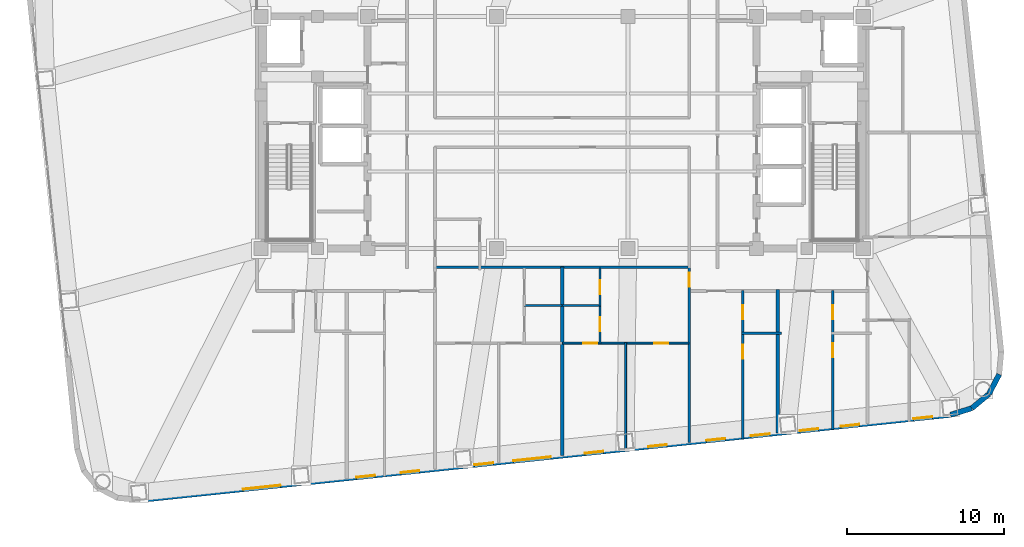
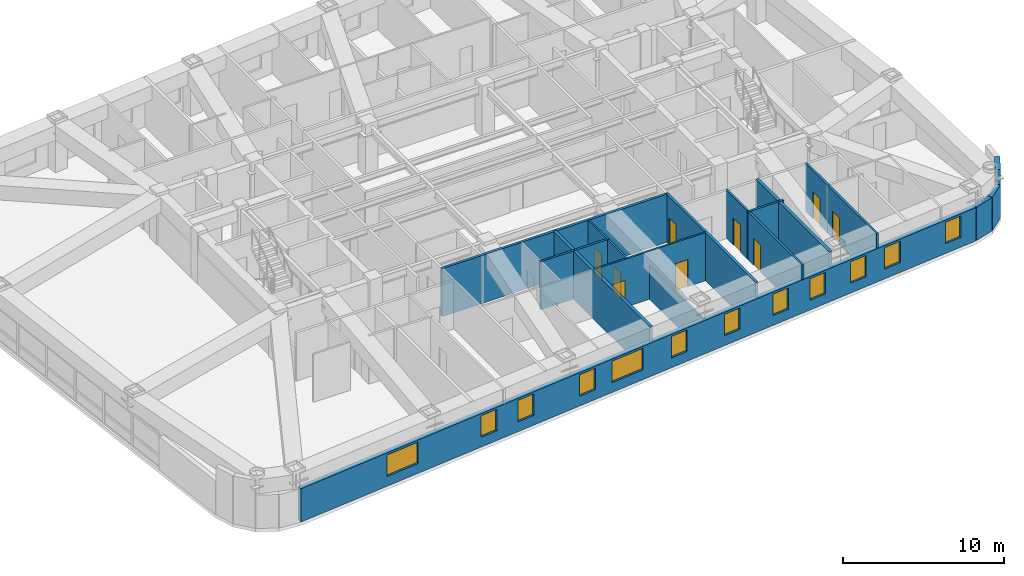
# One storey, part 8 of 14: 19 walls, 12 windows, 9 doors, 21 openings.
"""IFC4 building model written with IfcOpenShell, lengths in metres."""

from ifc_helpers import new_model, si_unit, direction, frame, frame_2d, origin, place, context, subcontext, project, spatial, rectangle, extrude, material, layer, layer_set, type_object, element, fill, save


model = new_model("IFC4")

# Units and contexts
model_context = context("Model", 3, precision=1e-05, world=origin(), true_north=direction((0.0, 1.0)))
body_context = subcontext(model_context, "Body", "Model", "MODEL_VIEW")
ifc_project = project(units=[si_unit("LENGTHUNIT", "METRE"), si_unit("AREAUNIT", "SQUARE_METRE"), si_unit("VOLUMEUNIT", "CUBIC_METRE"), si_unit("PLANEANGLEUNIT", "RADIAN"), si_unit("MASSUNIT", "GRAM", prefix="KILO")], contexts=[model_context])

# Site, building, storey
site_placement = place(None, origin())
site = spatial("IfcSite", under=ifc_project, at=site_placement, CompositionType="ELEMENT")
building_placement = place(site_placement, origin())
building = spatial("IfcBuilding", under=site, at=building_placement, Name="Voryun Gate Residences", CompositionType="ELEMENT")
storey_placement = place(building_placement, frame((0.0, 0.0, 144.300048828125)))
storey = spatial("IfcBuildingStorey", under=building, at=storey_placement, Name="L35", CompositionType="ELEMENT", Elevation=144.300048828125)

# Wall
ifc_material_1 = material(Name="Gypsum acoustic fireboard")
ifc_layer_1 = layer(ifc_material_1, 0.179931640625, Name="W_CORR_RATED_180")
ifc_layer_set_1 = layer_set([ifc_layer_1], Name="Gypsum acoustic fireboard")
wall_type_1 = type_object("IfcWallType", Name="W_CORR_RATED_180", PredefinedType="PARTITIONING", material=ifc_layer_set_1)
wall_1_placement = place(storey_placement, frame((-8.14990234375, -8.590087890625, 0.0), z_axis=(0.0, 0.0, 1.0), x_axis=(1.0, 0.0, 0.0)))
element("IfcWall", 1, at=wall_1_placement, inside=storey, type_object=wall_type_1, Name="Partition wall WP-L35-Z2S", PredefinedType="PARTITIONING", context=body_context, shape_type="SweptSolid", body=[
    extrude(rectangle(XDim=16.2998046875, YDim=0.179931640625, at=frame_2d((8.14990234375, 0.0))), origin(), (0.0, 0.0, 1.0), 3.64990234375),
])

# Wall, opening, door
wall_2_placement = place(storey_placement, frame((8.10009765625, -19.75390625, 0.0), z_axis=(0.0, 0.0, 1.0), x_axis=(0.0, 1.0, 0.0)))
wall_2 = element("IfcWall", 2, at=wall_2_placement, inside=storey, type_object=wall_type_1, Name="Partition wall WP-L35-SZV-2", PredefinedType="PARTITIONING", context=body_context, shape_type="SweptSolid", body=[
    extrude(rectangle(XDim=11.163818359375, YDim=0.179931640625, at=frame_2d((5.58203125, 0.0))), origin(), (0.0, 0.0, 1.0), 3.64990234375),
])
opening_1_placement = place(wall_2_placement, frame((9.913330078125, 0.0, 0.0)))
opening_1 = element("IfcOpeningElement", 3, at=opening_1_placement, cuts=wall_2, Name="Opening D-INT-2", PredefinedType="OPENING", context=body_context, shape_type="SweptSolid", body=[
    extrude(rectangle(XDim=0.89990234375, YDim=2.050048828125, at=frame_2d((0.449951171875, 1.02490234375))), frame((0.0, 0.099853515625, 0.0), z_axis=(0.0, -1.0, 0.0), x_axis=(1.0, 0.0, 0.0)), (0.0, 0.0, 1.0), 0.199951171875),
])
ifc_material_2 = material(Name="Architectural oak veneer")
door_type = type_object("IfcDoorType", Name="DR_INT_BATH_900", OperationType="NOTDEFINED", PredefinedType="DOOR", material=ifc_material_2)
door_1_placement = place(opening_1_placement, origin())
door_1 = element("IfcDoor", 4, at=door_1_placement, inside=storey, type_object=door_type, Name="Door DR-L35-SZENT-2", OperationType="SINGLE_SWING_RIGHT", OverallHeight=2.050048828125, OverallWidth=0.89990234375, PredefinedType="DOOR", context=body_context, shape_type="SweptSolid", body=[
    extrude(rectangle(XDim=0.89990234375, YDim=2.050048828125, at=frame_2d((0.449951171875, 1.02490234375))), frame((0.0, 0.02490234375, 0.0), z_axis=(0.0, -1.0, 0.0), x_axis=(1.0, 0.0, 0.0)), (0.0, 0.0, 1.0), 0.050048828125),
])
fill(opening_1, door_1)

# Wall, openings, windows
ifc_material_3 = material(Name="Charcoal terracotta masonry", Category="masonry")
ifc_layer_2 = layer(ifc_material_3, 0.340087890625, Name="W_EXT_TERRACOTTA_340")
ifc_layer_set_2 = layer_set([ifc_layer_2], Name="Charcoal terracotta masonry")
wall_type_2 = type_object("IfcWallType", Name="W_EXT_TERRACOTTA_340", PredefinedType="ELEMENTEDWALL", material=ifc_layer_set_2)
wall_3_placement = place(storey_placement, frame((24.755615234375, -18.003173828125, 0.0), z_axis=(0.0, 0.0, 1.0), x_axis=(-0.99452160744, -0.104531202687, 0.0)))
wall_3 = element("IfcWall", 5, at=wall_3_placement, inside=storey, type_object=wall_type_2, Name="Exterior wall WEXT-L35-01", PredefinedType="ELEMENTEDWALL", context=body_context, shape_type="SweptSolid", body=[
    extrude(rectangle(XDim=51.966552734375, YDim=0.340087890625, at=frame_2d((25.9833984375, 0.0))), origin(), (0.0, 0.0, 1.0), 2.5400390625),
])
opening_2_placement = place(wall_3_placement, frame((25.63330078125, 0.0, 0.75)))
opening_2 = element("IfcOpeningElement", 6, at=opening_2_placement, cuts=wall_3, Name="Opening WN2", PredefinedType="OPENING", context=body_context, shape_type="SweptSolid", body=[
    extrude(rectangle(XDim=2.39990234375, YDim=1.6298828125, at=frame_2d((1.199951171875, 0.81494140625))), frame((0.0, 0.179931640625, 0.0), z_axis=(0.0, -1.0, 0.0), x_axis=(1.0, 0.0, 0.0)), (0.0, 0.0, 1.0), 0.360107421875),
])
opening_3_placement = place(wall_3_placement, frame((42.955322265625, 0.0, 0.75)))
opening_3 = element("IfcOpeningElement", 7, at=opening_3_placement, cuts=wall_3, Name="Opening WN2", PredefinedType="OPENING", context=body_context, shape_type="SweptSolid", body=[
    extrude(rectangle(XDim=2.39990234375, YDim=1.6298828125, at=frame_2d((1.199951171875, 0.81494140625))), frame((0.0, 0.179931640625, 0.0), z_axis=(0.0, -1.0, 0.0), x_axis=(1.0, 0.0, 0.0)), (0.0, 0.0, 1.0), 0.360107421875),
])
opening_4_placement = place(wall_3_placement, frame((34.048583984375, 0.0, 0.75)))
opening_4 = element("IfcOpeningElement", 8, at=opening_4_placement, cuts=wall_3, Name="Opening WN6", PredefinedType="OPENING", context=body_context, shape_type="SweptSolid", body=[
    extrude(rectangle(XDim=1.199951171875, YDim=1.6298828125, at=frame_2d((0.60009765625, 0.81494140625))), frame((0.0, 0.179931640625, 0.0), z_axis=(0.0, -1.0, 0.0), x_axis=(1.0, 0.0, 0.0)), (0.0, 0.0, 1.0), 0.360107421875),
])
opening_5_placement = place(wall_3_placement, frame((36.89404296875, 0.0, 0.75)))
opening_5 = element("IfcOpeningElement", 9, at=opening_5_placement, cuts=wall_3, Name="Opening WN6", PredefinedType="OPENING", context=body_context, shape_type="SweptSolid", body=[
    extrude(rectangle(XDim=1.199951171875, YDim=1.6298828125, at=frame_2d((0.60009765625, 0.81494140625))), frame((0.0, 0.179931640625, 0.0), z_axis=(0.0, -1.0, 0.0), x_axis=(1.0, 0.0, 0.0)), (0.0, 0.0, 1.0), 0.360107421875),
])
opening_6_placement = place(wall_3_placement, frame((14.43603515625, 0.0, 0.75)))
opening_6 = element("IfcOpeningElement", 10, at=opening_6_placement, cuts=wall_3, Name="Opening WN6", PredefinedType="OPENING", context=body_context, shape_type="SweptSolid", body=[
    extrude(rectangle(XDim=1.199951171875, YDim=1.6298828125, at=frame_2d((0.60009765625, 0.81494140625))), frame((0.0, 0.179931640625, 0.0), z_axis=(0.0, -1.0, 0.0), x_axis=(1.0, 0.0, 0.0)), (0.0, 0.0, 1.0), 0.360107421875),
])
opening_7_placement = place(wall_3_placement, frame((11.590576171875, 0.0, 0.75)))
opening_7 = element("IfcOpeningElement", 11, at=opening_7_placement, cuts=wall_3, Name="Opening WN6", PredefinedType="OPENING", context=body_context, shape_type="SweptSolid", body=[
    extrude(rectangle(XDim=1.199951171875, YDim=1.6298828125, at=frame_2d((0.60009765625, 0.81494140625))), frame((0.0, 0.179931640625, 0.0), z_axis=(0.0, -1.0, 0.0), x_axis=(1.0, 0.0, 0.0)), (0.0, 0.0, 1.0), 0.360107421875),
])
opening_8_placement = place(wall_3_placement, frame((8.46923828125, 0.0, 0.75)))
opening_8 = element("IfcOpeningElement", 12, at=opening_8_placement, cuts=wall_3, Name="Opening WN6", PredefinedType="OPENING", context=body_context, shape_type="SweptSolid", body=[
    extrude(rectangle(XDim=1.199951171875, YDim=1.6298828125, at=frame_2d((0.60009765625, 0.81494140625))), frame((0.0, 0.179931640625, 0.0), z_axis=(0.0, -1.0, 0.0), x_axis=(1.0, 0.0, 0.0)), (0.0, 0.0, 1.0), 0.360107421875),
])
opening_9_placement = place(wall_3_placement, frame((5.83349609375, 0.0, 0.75)))
opening_9 = element("IfcOpeningElement", 13, at=opening_9_placement, cuts=wall_3, Name="Opening WN6", PredefinedType="OPENING", context=body_context, shape_type="SweptSolid", body=[
    extrude(rectangle(XDim=1.199951171875, YDim=1.6298828125, at=frame_2d((0.60009765625, 0.81494140625))), frame((0.0, 0.179931640625, 0.0), z_axis=(0.0, -1.0, 0.0), x_axis=(1.0, 0.0, 0.0)), (0.0, 0.0, 1.0), 0.360107421875),
])
opening_10_placement = place(wall_3_placement, frame((29.31298828125, 0.0, 0.75)))
opening_10 = element("IfcOpeningElement", 14, at=opening_10_placement, cuts=wall_3, Name="Opening WN6", PredefinedType="OPENING", context=body_context, shape_type="SweptSolid", body=[
    extrude(rectangle(XDim=1.199951171875, YDim=1.6298828125, at=frame_2d((0.60009765625, 0.81494140625))), frame((0.0, 0.179931640625, 0.0), z_axis=(0.0, -1.0, 0.0), x_axis=(1.0, 0.0, 0.0)), (0.0, 0.0, 1.0), 0.360107421875),
])
opening_11_placement = place(wall_3_placement, frame((22.248291015625, 0.0, 0.75)))
opening_11 = element("IfcOpeningElement", 15, at=opening_11_placement, cuts=wall_3, Name="Opening WN6", PredefinedType="OPENING", context=body_context, shape_type="SweptSolid", body=[
    extrude(rectangle(XDim=1.199951171875, YDim=1.6298828125, at=frame_2d((0.60009765625, 0.81494140625))), frame((0.0, 0.179931640625, 0.0), z_axis=(0.0, -1.0, 0.0), x_axis=(1.0, 0.0, 0.0)), (0.0, 0.0, 1.0), 0.360107421875),
])
opening_12_placement = place(wall_3_placement, frame((18.18603515625, 0.0, 0.75)))
opening_12 = element("IfcOpeningElement", 16, at=opening_12_placement, cuts=wall_3, Name="Opening WN6", PredefinedType="OPENING", context=body_context, shape_type="SweptSolid", body=[
    extrude(rectangle(XDim=1.199951171875, YDim=1.6298828125, at=frame_2d((0.60009765625, 0.81494140625))), frame((0.0, 0.179931640625, 0.0), z_axis=(0.0, -1.0, 0.0), x_axis=(1.0, 0.0, 0.0)), (0.0, 0.0, 1.0), 0.360107421875),
])
opening_13_placement = place(wall_3_placement, frame((1.170166015625, 0.0, 0.75)))
opening_13 = element("IfcOpeningElement", 17, at=opening_13_placement, cuts=wall_3, Name="Opening WN6", PredefinedType="OPENING", context=body_context, shape_type="SweptSolid", body=[
    extrude(rectangle(XDim=1.199951171875, YDim=1.6298828125, at=frame_2d((0.60009765625, 0.81494140625))), frame((0.0, 0.179931640625, 0.0), z_axis=(0.0, -1.0, 0.0), x_axis=(1.0, 0.0, 0.0)), (0.0, 0.0, 1.0), 0.360107421875),
])
ifc_material_4 = material(Name="Laminated low-E glass", Category="glass")
window_type_1 = type_object("IfcWindowType", Name="WN_POD_SLOT_1200", PartitioningType="SINGLE_PANEL", PredefinedType="WINDOW", material=ifc_material_4)
window_1_placement = place(opening_4_placement, origin())
window_1 = element("IfcWindow", 18, at=window_1_placement, inside=storey, type_object=window_type_1, Name="Window WN-L35-DWFIX-10", OverallHeight=1.6298828125, OverallWidth=1.199951171875, PartitioningType="SINGLE_PANEL", PredefinedType="WINDOW", context=body_context, shape_type="SweptSolid", body=[
    extrude(rectangle(XDim=1.199951171875, YDim=1.6298828125, at=frame_2d((0.60009765625, 0.81494140625))), frame((0.0, 0.030029296875, 0.0), z_axis=(0.0, -1.0, 0.0), x_axis=(1.0, 0.0, 0.0)), (0.0, 0.0, 1.0), 0.06005859375),
])
fill(opening_4, window_1)
window_2_placement = place(opening_5_placement, origin())
window_2 = element("IfcWindow", 19, at=window_2_placement, inside=storey, type_object=window_type_1, Name="Window WN-L35-DWFIX-11", OverallHeight=1.6298828125, OverallWidth=1.199951171875, PartitioningType="SINGLE_PANEL", PredefinedType="WINDOW", context=body_context, shape_type="SweptSolid", body=[
    extrude(rectangle(XDim=1.199951171875, YDim=1.6298828125, at=frame_2d((0.60009765625, 0.81494140625))), frame((0.0, 0.030029296875, 0.0), z_axis=(0.0, -1.0, 0.0), x_axis=(1.0, 0.0, 0.0)), (0.0, 0.0, 1.0), 0.06005859375),
])
fill(opening_5, window_2)
window_3_placement = place(opening_6_placement, origin())
window_3 = element("IfcWindow", 20, at=window_3_placement, inside=storey, type_object=window_type_1, Name="Window WN-L35-DWFIX-12", OverallHeight=1.6298828125, OverallWidth=1.199951171875, PartitioningType="SINGLE_PANEL", PredefinedType="WINDOW", context=body_context, shape_type="SweptSolid", body=[
    extrude(rectangle(XDim=1.199951171875, YDim=1.6298828125, at=frame_2d((0.60009765625, 0.81494140625))), frame((0.0, 0.030029296875, 0.0), z_axis=(0.0, -1.0, 0.0), x_axis=(1.0, 0.0, 0.0)), (0.0, 0.0, 1.0), 0.06005859375),
])
fill(opening_6, window_3)
window_4_placement = place(opening_7_placement, origin())
window_4 = element("IfcWindow", 21, at=window_4_placement, inside=storey, type_object=window_type_1, Name="Window WN-L35-DWFIX-13", OverallHeight=1.6298828125, OverallWidth=1.199951171875, PartitioningType="SINGLE_PANEL", PredefinedType="WINDOW", context=body_context, shape_type="SweptSolid", body=[
    extrude(rectangle(XDim=1.199951171875, YDim=1.6298828125, at=frame_2d((0.60009765625, 0.81494140625))), frame((0.0, 0.030029296875, 0.0), z_axis=(0.0, -1.0, 0.0), x_axis=(1.0, 0.0, 0.0)), (0.0, 0.0, 1.0), 0.06005859375),
])
fill(opening_7, window_4)
window_5_placement = place(opening_8_placement, origin())
window_5 = element("IfcWindow", 22, at=window_5_placement, inside=storey, type_object=window_type_1, Name="Window WN-L35-DWFIX-14", OverallHeight=1.6298828125, OverallWidth=1.199951171875, PartitioningType="SINGLE_PANEL", PredefinedType="WINDOW", context=body_context, shape_type="SweptSolid", body=[
    extrude(rectangle(XDim=1.199951171875, YDim=1.6298828125, at=frame_2d((0.60009765625, 0.81494140625))), frame((0.0, 0.030029296875, 0.0), z_axis=(0.0, -1.0, 0.0), x_axis=(1.0, 0.0, 0.0)), (0.0, 0.0, 1.0), 0.06005859375),
])
fill(opening_8, window_5)
window_6_placement = place(opening_9_placement, origin())
window_6 = element("IfcWindow", 23, at=window_6_placement, inside=storey, type_object=window_type_1, Name="Window WN-L35-DWFIX-15", OverallHeight=1.6298828125, OverallWidth=1.199951171875, PartitioningType="SINGLE_PANEL", PredefinedType="WINDOW", context=body_context, shape_type="SweptSolid", body=[
    extrude(rectangle(XDim=1.199951171875, YDim=1.6298828125, at=frame_2d((0.60009765625, 0.81494140625))), frame((0.0, 0.030029296875, 0.0), z_axis=(0.0, -1.0, 0.0), x_axis=(1.0, 0.0, 0.0)), (0.0, 0.0, 1.0), 0.06005859375),
])
fill(opening_9, window_6)
window_7_placement = place(opening_10_placement, origin())
window_7 = element("IfcWindow", 24, at=window_7_placement, inside=storey, type_object=window_type_1, Name="Window WN-L35-DWFIX-16", OverallHeight=1.6298828125, OverallWidth=1.199951171875, PartitioningType="SINGLE_PANEL", PredefinedType="WINDOW", context=body_context, shape_type="SweptSolid", body=[
    extrude(rectangle(XDim=1.199951171875, YDim=1.6298828125, at=frame_2d((0.60009765625, 0.81494140625))), frame((0.0, 0.030029296875, 0.0), z_axis=(0.0, -1.0, 0.0), x_axis=(1.0, 0.0, 0.0)), (0.0, 0.0, 1.0), 0.06005859375),
])
fill(opening_10, window_7)
window_8_placement = place(opening_11_placement, origin())
window_8 = element("IfcWindow", 25, at=window_8_placement, inside=storey, type_object=window_type_1, Name="Window WN-L35-DWFIX-17", OverallHeight=1.6298828125, OverallWidth=1.199951171875, PartitioningType="SINGLE_PANEL", PredefinedType="WINDOW", context=body_context, shape_type="SweptSolid", body=[
    extrude(rectangle(XDim=1.199951171875, YDim=1.6298828125, at=frame_2d((0.60009765625, 0.81494140625))), frame((0.0, 0.030029296875, 0.0), z_axis=(0.0, -1.0, 0.0), x_axis=(1.0, 0.0, 0.0)), (0.0, 0.0, 1.0), 0.06005859375),
])
fill(opening_11, window_8)
window_9_placement = place(opening_12_placement, origin())
window_9 = element("IfcWindow", 26, at=window_9_placement, inside=storey, type_object=window_type_1, Name="Window WN-L35-DWFIX-18", OverallHeight=1.6298828125, OverallWidth=1.199951171875, PartitioningType="SINGLE_PANEL", PredefinedType="WINDOW", context=body_context, shape_type="SweptSolid", body=[
    extrude(rectangle(XDim=1.199951171875, YDim=1.6298828125, at=frame_2d((0.60009765625, 0.81494140625))), frame((0.0, 0.030029296875, 0.0), z_axis=(0.0, -1.0, 0.0), x_axis=(1.0, 0.0, 0.0)), (0.0, 0.0, 1.0), 0.06005859375),
])
fill(opening_12, window_9)
window_10_placement = place(opening_13_placement, origin())
window_10 = element("IfcWindow", 27, at=window_10_placement, inside=storey, type_object=window_type_1, Name="Window WN-L35-DWFIX-19", OverallHeight=1.6298828125, OverallWidth=1.199951171875, PartitioningType="SINGLE_PANEL", PredefinedType="WINDOW", context=body_context, shape_type="SweptSolid", body=[
    extrude(rectangle(XDim=1.199951171875, YDim=1.6298828125, at=frame_2d((0.60009765625, 0.81494140625))), frame((0.0, 0.030029296875, 0.0), z_axis=(0.0, -1.0, 0.0), x_axis=(1.0, 0.0, 0.0)), (0.0, 0.0, 1.0), 0.06005859375),
])
fill(opening_13, window_10)
ifc_material_5 = material(Name="Laminated low-E glass", Category="glass")
window_type_2 = type_object("IfcWindowType", Name="WN_RES_WIDE_2400", PartitioningType="SINGLE_PANEL", PredefinedType="WINDOW", material=ifc_material_5)
window_11_placement = place(opening_2_placement, origin())
window_11 = element("IfcWindow", 28, at=window_11_placement, inside=storey, type_object=window_type_2, Name="Window WN-WEXT-L35-01-02", OverallHeight=1.6298828125, OverallWidth=2.39990234375, PartitioningType="SINGLE_PANEL", PredefinedType="WINDOW", context=body_context, shape_type="SweptSolid", body=[
    extrude(rectangle(XDim=2.39990234375, YDim=1.6298828125, at=frame_2d((1.199951171875, 0.81494140625))), frame((0.0, 0.030029296875, 0.0), z_axis=(0.0, -1.0, 0.0), x_axis=(1.0, 0.0, 0.0)), (0.0, 0.0, 1.0), 0.06005859375),
])
fill(opening_2, window_11)
window_12_placement = place(opening_3_placement, origin())
window_12 = element("IfcWindow", 29, at=window_12_placement, inside=storey, type_object=window_type_2, Name="Window WN-WEXT-L35-01-03", OverallHeight=1.6298828125, OverallWidth=2.39990234375, PartitioningType="SINGLE_PANEL", PredefinedType="WINDOW", context=body_context, shape_type="SweptSolid", body=[
    extrude(rectangle(XDim=2.39990234375, YDim=1.6298828125, at=frame_2d((1.199951171875, 0.81494140625))), frame((0.0, 0.030029296875, 0.0), z_axis=(0.0, -1.0, 0.0), x_axis=(1.0, 0.0, 0.0)), (0.0, 0.0, 1.0), 0.06005859375),
])
fill(opening_3, window_12)

# Walls
wall_4_placement = place(storey_placement, frame((27.8701171875, -15.42138671875, 0.0), z_axis=(0.0, 0.0, 1.0), x_axis=(-0.465682431293, -0.884951904447, 0.0)))
element("IfcWall", 30, at=wall_4_placement, inside=storey, type_object=wall_type_2, Name="Exterior wall WEXT-L35-18", PredefinedType="ELEMENTEDWALL", context=body_context, shape_type="SweptSolid", body=[
    extrude(rectangle(XDim=1.4150390625, YDim=0.340087890625, at=frame_2d((0.70751953125, 0.0))), origin(), (0.0, 0.0, 1.0), 3.64990234375),
])
wall_5_placement = place(storey_placement, frame((27.211181640625, -16.673583984375, 0.0), z_axis=(0.0, 0.0, 1.0), x_axis=(-0.768758372808, -0.639539337522, 0.0)))
element("IfcWall", 31, at=wall_5_placement, inside=storey, type_object=wall_type_2, Name="Exterior wall WEXT-L35-19", PredefinedType="ELEMENTEDWALL", context=body_context, shape_type="SweptSolid", body=[
    extrude(rectangle(XDim=1.4150390625, YDim=0.340087890625, at=frame_2d((0.70751953125, 0.0))), origin(), (0.0, 0.0, 1.0), 2.5400390625),
])
wall_6_placement = place(storey_placement, frame((26.123291015625, -17.57861328125, 0.0), z_axis=(0.0, 0.0, 1.0), x_axis=(-0.955042500381, -0.296468923271, 0.0)))
element("IfcWall", 32, at=wall_6_placement, inside=storey, type_object=wall_type_2, Name="Exterior wall WEXT-L35-20", PredefinedType="ELEMENTEDWALL", context=body_context, shape_type="SweptSolid", body=[
    extrude(rectangle(XDim=1.43212890625, YDim=0.340087890625, at=frame_2d((0.716064453125, 0.0))), origin(), (0.0, 0.0, 1.0), 2.5400390625),
])
ifc_material_6 = material(Name="Concrete C40/50", Category="concrete")
ifc_layer_3 = layer(ifc_material_6, 0.219970703125, Name="W_PARTY_ACOUSTIC_220")
ifc_layer_set_3 = layer_set([ifc_layer_3], Name="Concrete C40/50")
wall_type_3 = type_object("IfcWallType", Name="W_PARTY_ACOUSTIC_220", PredefinedType="PARTITIONING", material=ifc_layer_set_3)
wall_7_placement = place(storey_placement, frame((13.739990234375, -19.160888671875, 0.0), z_axis=(0.0, 0.0, 1.0), x_axis=(0.0, 1.0, 0.0)))
element("IfcWall", 33, at=wall_7_placement, inside=storey, type_object=wall_type_3, Name="Partition wall WP-L35-SPTY-4", PredefinedType="PARTITIONING", context=body_context, shape_type="SweptSolid", body=[
    extrude(rectangle(XDim=9.140869140625, YDim=0.219970703125, at=frame_2d((4.5703125, 0.0))), origin(), (0.0, 0.0, 1.0), 3.64990234375),
])
wall_8_placement = place(storey_placement, frame((0.0, -20.60498046875, 0.0), z_axis=(0.0, 0.0, 1.0), x_axis=(0.0, 1.0, 0.0)))
element("IfcWall", 34, at=wall_8_placement, inside=storey, type_object=wall_type_3, Name="Partition wall WP-L35-SZMID", PredefinedType="PARTITIONING", context=body_context, shape_type="SweptSolid", body=[
    extrude(rectangle(XDim=12.014892578125, YDim=0.219970703125, at=frame_2d((6.00732421875, 0.0))), origin(), (0.0, 0.0, 1.0), 3.64990234375),
])

# Wall, openings, doors
ifc_material_7 = material(Name="Gypsum acoustic partition")
ifc_layer_4 = layer(ifc_material_7, 0.125, Name="W_UNIT_PART_125")
ifc_layer_set_4 = layer_set([ifc_layer_4], Name="Gypsum acoustic partition")
wall_type_4 = type_object("IfcWallType", Name="W_UNIT_PART_125", PredefinedType="PARTITIONING", material=ifc_layer_set_4)
wall_9_placement = place(storey_placement, frame((0.02001953125, -13.429931640625, 0.0), z_axis=(0.0, 0.0, 1.0), x_axis=(1.0, 0.0, 0.0)))
wall_9 = element("IfcWall", 35, at=wall_9_placement, inside=storey, type_object=wall_type_4, Name="Partition wall WP-L35-SC2-HZ", PredefinedType="PARTITIONING", context=body_context, shape_type="SweptSolid", body=[
    extrude(rectangle(XDim=8.06005859375, YDim=0.125, at=frame_2d((4.030029296875, 0.0))), origin(), (0.0, 0.0, 1.0), 3.64990234375),
])
opening_14_placement = place(wall_9_placement, frame((1.3232421875, 0.0, 0.0)))
opening_14 = element("IfcOpeningElement", 36, at=opening_14_placement, cuts=wall_9, Name="Opening D-INT-2", PredefinedType="OPENING", context=body_context, shape_type="SweptSolid", body=[
    extrude(rectangle(XDim=0.89990234375, YDim=2.050048828125, at=frame_2d((0.449951171875, 1.02490234375))), frame((0.0, 0.072509765625, 0.0), z_axis=(0.0, -1.0, 0.0), x_axis=(1.0, 0.0, 0.0)), (0.0, 0.0, 1.0), 0.14501953125),
])
opening_15_placement = place(wall_9_placement, frame((5.8369140625, 0.0, 0.0)))
opening_15 = element("IfcOpeningElement", 37, at=opening_15_placement, cuts=wall_9, Name="Opening D-INT-2", PredefinedType="OPENING", context=body_context, shape_type="SweptSolid", body=[
    extrude(rectangle(XDim=0.89990234375, YDim=2.050048828125, at=frame_2d((0.449951171875, 1.02490234375))), frame((0.0, 0.072509765625, 0.0), z_axis=(0.0, -1.0, 0.0), x_axis=(1.0, 0.0, 0.0)), (0.0, 0.0, 1.0), 0.14501953125),
])
door_2_placement = place(opening_14_placement, origin())
door_2 = element("IfcDoor", 38, at=door_2_placement, inside=storey, type_object=door_type, Name="Door DR-L35-SC2-DMB", OperationType="SINGLE_SWING_LEFT", OverallHeight=2.050048828125, OverallWidth=0.89990234375, PredefinedType="DOOR", context=body_context, shape_type="SweptSolid", body=[
    extrude(rectangle(XDim=0.89990234375, YDim=2.050048828125, at=frame_2d((0.449951171875, 1.02490234375))), frame((0.0, 0.02490234375, 0.0), z_axis=(0.0, -1.0, 0.0), x_axis=(1.0, 0.0, 0.0)), (0.0, 0.0, 1.0), 0.050048828125),
])
fill(opening_14, door_2)
door_3_placement = place(opening_15_placement, origin())
door_3 = element("IfcDoor", 39, at=door_3_placement, inside=storey, type_object=door_type, Name="Door DR-L35-SC2-DBD2", OperationType="SINGLE_SWING_RIGHT", OverallHeight=2.050048828125, OverallWidth=0.89990234375, PredefinedType="DOOR", context=body_context, shape_type="SweptSolid", body=[
    extrude(rectangle(XDim=0.89990234375, YDim=2.050048828125, at=frame_2d((0.449951171875, 1.02490234375))), frame((0.0, 0.02490234375, 0.0), z_axis=(0.0, -1.0, 0.0), x_axis=(1.0, 0.0, 0.0)), (0.0, 0.0, 1.0), 0.050048828125),
])
fill(opening_15, door_3)

# Wall, opening, door
wall_10_placement = place(storey_placement, frame((2.409912109375, -11.06005859375, 0.0), z_axis=(0.0, 0.0, 1.0), x_axis=(0.0, 1.0, 0.0)))
wall_10 = element("IfcWall", 40, at=wall_10_placement, inside=storey, type_object=wall_type_4, Name="Partition wall WP-L35-SC2-VK1", PredefinedType="PARTITIONING", context=body_context, shape_type="SweptSolid", body=[
    extrude(rectangle(XDim=2.41015625, YDim=0.125, at=frame_2d((1.205078125, 0.0))), origin(), (0.0, 0.0, 1.0), 3.64990234375),
])
opening_16_placement = place(wall_10_placement, frame((0.7548828125, 0.0, 0.0)))
opening_16 = element("IfcOpeningElement", 41, at=opening_16_placement, cuts=wall_10, Name="Opening D-INT-2", PredefinedType="OPENING", context=body_context, shape_type="SweptSolid", body=[
    extrude(rectangle(XDim=0.89990234375, YDim=2.050048828125, at=frame_2d((0.449951171875, 1.02490234375))), frame((0.0, 0.072509765625, 0.0), z_axis=(0.0, -1.0, 0.0), x_axis=(1.0, 0.0, 0.0)), (0.0, 0.0, 1.0), 0.14501953125),
])
door_4_placement = place(opening_16_placement, origin())
door_4 = element("IfcDoor", 42, at=door_4_placement, inside=storey, type_object=door_type, Name="Door DR-L35-SC2-DK", OperationType="SINGLE_SWING_LEFT", OverallHeight=2.050048828125, OverallWidth=0.89990234375, PredefinedType="DOOR", context=body_context, shape_type="SweptSolid", body=[
    extrude(rectangle(XDim=0.89990234375, YDim=2.050048828125, at=frame_2d((0.449951171875, 1.02490234375))), frame((0.0, 0.02490234375, 0.0), z_axis=(0.0, -1.0, 0.0), x_axis=(1.0, 0.0, 0.0)), (0.0, 0.0, 1.0), 0.050048828125),
])
fill(opening_16, door_4)

# Walls
wall_11_placement = place(storey_placement, frame((4.050048828125, -20.179443359375, 0.0), z_axis=(0.0, 0.0, 1.0), x_axis=(0.0, 1.0, 0.0)))
element("IfcWall", 43, at=wall_11_placement, inside=storey, type_object=wall_type_4, Name="Partition wall WP-L35-SC2-VBD", PredefinedType="PARTITIONING", context=body_context, shape_type="SweptSolid", body=[
    extrude(rectangle(XDim=6.78955078125, YDim=0.125, at=frame_2d((3.394775390625, 0.0))), origin(), (0.0, 0.0, 1.0), 2.5400390625),
])
ifc_material_8 = material(Name="Gypsum moisture-resistant partition")
ifc_layer_5 = layer(ifc_material_8, 0.14990234375, Name="W_WET_PLUMB_150")
ifc_layer_set_5 = layer_set([ifc_layer_5], Name="Gypsum moisture-resistant partition")
wall_type_5 = type_object("IfcWallType", Name="W_WET_PLUMB_150", PredefinedType="PLUMBINGWALL", material=ifc_layer_set_5)
wall_12_placement = place(storey_placement, frame((11.43896484375, -12.800048828125, 0.0), z_axis=(0.0, 0.0, 1.0), x_axis=(1.0, 0.0, 0.0)))
element("IfcWall", 44, at=wall_12_placement, inside=storey, type_object=wall_type_5, Name="Partition wall WP-L35-S4-SKB", PredefinedType="PLUMBINGWALL", context=body_context, shape_type="SweptSolid", body=[
    extrude(rectangle(XDim=2.56103515625, YDim=0.14990234375, at=frame_2d((1.280517578125, 0.0))), origin(), (0.0, 0.0, 1.0), 3.64990234375),
])

# Wall, opening, door
wall_13_placement = place(storey_placement, frame((11.51904296875, -19.545166015625, 0.0), z_axis=(0.0, 0.0, 1.0), x_axis=(0.0, 1.0, 0.0)))
wall_13 = element("IfcWall", 45, at=wall_13_placement, inside=storey, type_object=wall_type_5, Name="Partition wall WP-L35-S4-SVT1", PredefinedType="PLUMBINGWALL", context=body_context, shape_type="SweptSolid", body=[
    extrude(rectangle(XDim=6.78515625, YDim=0.14990234375, at=frame_2d((3.392578125, 0.0))), origin(), (0.0, 0.0, 1.0), 3.64990234375),
])
opening_17_placement = place(wall_13_placement, frame((5.114013671875, 0.0, 0.0)))
opening_17 = element("IfcOpeningElement", 46, at=opening_17_placement, cuts=wall_13, Name="Opening D-INT-2", PredefinedType="OPENING", context=body_context, shape_type="SweptSolid", body=[
    extrude(rectangle(XDim=0.89990234375, YDim=2.050048828125, at=frame_2d((0.449951171875, 1.02490234375))), frame((0.0, 0.0849609375, 0.0), z_axis=(0.0, -1.0, 0.0), x_axis=(1.0, 0.0, 0.0)), (0.0, 0.0, 1.0), 0.169921875),
])
door_5_placement = place(opening_17_placement, origin())
door_5 = element("IfcDoor", 47, at=door_5_placement, inside=storey, type_object=door_type, Name="Door DR-L35-S4-DK", OperationType="SINGLE_SWING_LEFT", OverallHeight=2.050048828125, OverallWidth=0.89990234375, PredefinedType="DOOR", context=body_context, shape_type="SweptSolid", body=[
    extrude(rectangle(XDim=0.89990234375, YDim=2.050048828125, at=frame_2d((0.449951171875, 1.02490234375))), frame((0.0, 0.02490234375, 0.0), z_axis=(0.0, -1.0, 0.0), x_axis=(1.0, 0.0, 0.0)), (0.0, 0.0, 1.0), 0.050048828125),
])
fill(opening_17, door_5)

wall_14_placement = place(storey_placement, frame((11.51904296875, -12.840087890625, 0.0), z_axis=(0.0, 0.0, 1.0), x_axis=(0.0, 1.0, 0.0)))
wall_14 = element("IfcWall", 48, at=wall_14_placement, inside=storey, type_object=wall_type_5, Name="Partition wall WP-L35-S4-SVT2", PredefinedType="PLUMBINGWALL", context=body_context, shape_type="SweptSolid", body=[
    extrude(rectangle(XDim=2.760009765625, YDim=0.14990234375, at=frame_2d((1.3798828125, 0.0))), origin(), (0.0, 0.0, 1.0), 3.64990234375),
])
opening_18_placement = place(wall_14_placement, frame((0.929931640625, 0.0, 0.0)))
opening_18 = element("IfcOpeningElement", 49, at=opening_18_placement, cuts=wall_14, Name="Opening D-INT-2", PredefinedType="OPENING", context=body_context, shape_type="SweptSolid", body=[
    extrude(rectangle(XDim=0.89990234375, YDim=2.050048828125, at=frame_2d((0.449951171875, 1.02490234375))), frame((0.0, 0.0849609375, 0.0), z_axis=(0.0, -1.0, 0.0), x_axis=(1.0, 0.0, 0.0)), (0.0, 0.0, 1.0), 0.169921875),
])
door_6_placement = place(opening_18_placement, origin())
door_6 = element("IfcDoor", 50, at=door_6_placement, inside=storey, type_object=door_type, Name="Door DR-L35-S4-DB", OperationType="SINGLE_SWING_RIGHT", OverallHeight=2.050048828125, OverallWidth=0.89990234375, PredefinedType="DOOR", context=body_context, shape_type="SweptSolid", body=[
    extrude(rectangle(XDim=0.89990234375, YDim=2.050048828125, at=frame_2d((0.449951171875, 1.02490234375))), frame((0.0, 0.02490234375, 0.0), z_axis=(0.0, -1.0, 0.0), x_axis=(1.0, 0.0, 0.0)), (0.0, 0.0, 1.0), 0.050048828125),
])
fill(opening_18, door_6)

wall_15_placement = place(storey_placement, frame((17.25, -18.94287109375, 0.0), z_axis=(0.0, 0.0, 1.0), x_axis=(0.0, 1.0, 0.0)))
wall_15 = element("IfcWall", 51, at=wall_15_placement, inside=storey, type_object=wall_type_5, Name="Partition wall WP-L35-S5-SVT1", PredefinedType="PLUMBINGWALL", context=body_context, shape_type="SweptSolid", body=[
    extrude(rectangle(XDim=6.182861328125, YDim=0.14990234375, at=frame_2d((3.09130859375, 0.0))), origin(), (0.0, 0.0, 1.0), 3.64990234375),
])
opening_19_placement = place(wall_15_placement, frame((4.6201171875, 0.0, 0.0)))
opening_19 = element("IfcOpeningElement", 52, at=opening_19_placement, cuts=wall_15, Name="Opening D-INT-2", PredefinedType="OPENING", context=body_context, shape_type="SweptSolid", body=[
    extrude(rectangle(XDim=0.89990234375, YDim=2.050048828125, at=frame_2d((0.449951171875, 1.02490234375))), frame((0.0, 0.0849609375, 0.0), z_axis=(0.0, -1.0, 0.0), x_axis=(1.0, 0.0, 0.0)), (0.0, 0.0, 1.0), 0.169921875),
])
door_7_placement = place(opening_19_placement, origin())
door_7 = element("IfcDoor", 53, at=door_7_placement, inside=storey, type_object=door_type, Name="Door DR-L35-S5-DK", OperationType="SINGLE_SWING_LEFT", OverallHeight=2.050048828125, OverallWidth=0.89990234375, PredefinedType="DOOR", context=body_context, shape_type="SweptSolid", body=[
    extrude(rectangle(XDim=0.89990234375, YDim=2.050048828125, at=frame_2d((0.449951171875, 1.02490234375))), frame((0.0, 0.02490234375, 0.0), z_axis=(0.0, -1.0, 0.0), x_axis=(1.0, 0.0, 0.0)), (0.0, 0.0, 1.0), 0.050048828125),
])
fill(opening_19, door_7)

wall_16_placement = place(storey_placement, frame((17.25, -12.840087890625, 0.0), z_axis=(0.0, 0.0, 1.0), x_axis=(0.0, 1.0, 0.0)))
wall_16 = element("IfcWall", 54, at=wall_16_placement, inside=storey, type_object=wall_type_5, Name="Partition wall WP-L35-S5-SVT2", PredefinedType="PLUMBINGWALL", context=body_context, shape_type="SweptSolid", body=[
    extrude(rectangle(XDim=2.760009765625, YDim=0.14990234375, at=frame_2d((1.3798828125, 0.0))), origin(), (0.0, 0.0, 1.0), 3.64990234375),
])
opening_20_placement = place(wall_16_placement, frame((0.929931640625, 0.0, 0.0)))
opening_20 = element("IfcOpeningElement", 55, at=opening_20_placement, cuts=wall_16, Name="Opening D-INT-2", PredefinedType="OPENING", context=body_context, shape_type="SweptSolid", body=[
    extrude(rectangle(XDim=0.89990234375, YDim=2.050048828125, at=frame_2d((0.449951171875, 1.02490234375))), frame((0.0, 0.0849609375, 0.0), z_axis=(0.0, -1.0, 0.0), x_axis=(1.0, 0.0, 0.0)), (0.0, 0.0, 1.0), 0.169921875),
])
door_8_placement = place(opening_20_placement, origin())
door_8 = element("IfcDoor", 56, at=door_8_placement, inside=storey, type_object=door_type, Name="Door DR-L35-S5-DB", OperationType="SINGLE_SWING_RIGHT", OverallHeight=2.050048828125, OverallWidth=0.89990234375, PredefinedType="DOOR", context=body_context, shape_type="SweptSolid", body=[
    extrude(rectangle(XDim=0.89990234375, YDim=2.050048828125, at=frame_2d((0.449951171875, 1.02490234375))), frame((0.0, 0.02490234375, 0.0), z_axis=(0.0, -1.0, 0.0), x_axis=(1.0, 0.0, 0.0)), (0.0, 0.0, 1.0), 0.050048828125),
])
fill(opening_20, door_8)

# Wall
wall_17_placement = place(storey_placement, frame((-2.449951171875, -11.030029296875, 0.0), z_axis=(0.0, 0.0, 1.0), x_axis=(1.0, 0.0, 0.0)))
element("IfcWall", 57, at=wall_17_placement, inside=storey, type_object=wall_type_5, Name="Partition wall WP-L35-SC1-HKB", PredefinedType="PLUMBINGWALL", context=body_context, shape_type="SweptSolid", body=[
    extrude(rectangle(XDim=2.429931640625, YDim=0.14990234375, at=frame_2d((1.21484375, 0.0))), origin(), (0.0, 0.0, 1.0), 3.64990234375),
])

# Wall, opening, door
wall_18_placement = place(storey_placement, frame((2.409912109375, -13.469970703125, 0.0), z_axis=(0.0, 0.0, 1.0), x_axis=(0.0, 1.0, 0.0)))
wall_18 = element("IfcWall", 58, at=wall_18_placement, inside=storey, type_object=wall_type_5, Name="Partition wall WP-L35-SC2-VK2", PredefinedType="PLUMBINGWALL", context=body_context, shape_type="SweptSolid", body=[
    extrude(rectangle(XDim=2.469970703125, YDim=0.14990234375, at=frame_2d((1.23486328125, 0.0))), origin(), (0.0, 0.0, 1.0), 3.64990234375),
])
opening_21_placement = place(wall_18_placement, frame((0.784912109375, 0.0, 0.0)))
opening_21 = element("IfcOpeningElement", 59, at=opening_21_placement, cuts=wall_18, Name="Opening D-INT-2", PredefinedType="OPENING", context=body_context, shape_type="SweptSolid", body=[
    extrude(rectangle(XDim=0.89990234375, YDim=2.050048828125, at=frame_2d((0.449951171875, 1.02490234375))), frame((0.0, 0.0849609375, 0.0), z_axis=(0.0, -1.0, 0.0), x_axis=(1.0, 0.0, 0.0)), (0.0, 0.0, 1.0), 0.169921875),
])
door_9_placement = place(opening_21_placement, origin())
door_9 = element("IfcDoor", 60, at=door_9_placement, inside=storey, type_object=door_type, Name="Door DR-L35-SC2-DB", OperationType="SINGLE_SWING_RIGHT", OverallHeight=2.050048828125, OverallWidth=0.89990234375, PredefinedType="DOOR", context=body_context, shape_type="SweptSolid", body=[
    extrude(rectangle(XDim=0.89990234375, YDim=2.050048828125, at=frame_2d((0.449951171875, 1.02490234375))), frame((0.0, 0.02490234375, 0.0), z_axis=(0.0, -1.0, 0.0), x_axis=(1.0, 0.0, 0.0)), (0.0, 0.0, 1.0), 0.050048828125),
])
fill(opening_21, door_9)

# Wall
wall_19_placement = place(storey_placement, frame((0.02001953125, -11.030029296875, 0.0), z_axis=(0.0, 0.0, 1.0), x_axis=(1.0, 0.0, 0.0)))
element("IfcWall", 61, at=wall_19_placement, inside=storey, type_object=wall_type_5, Name="Partition wall WP-L35-SC2-HKB", PredefinedType="PLUMBINGWALL", context=body_context, shape_type="SweptSolid", body=[
    extrude(rectangle(XDim=2.429931640625, YDim=0.14990234375, at=frame_2d((1.21484375, 0.0))), origin(), (0.0, 0.0, 1.0), 3.64990234375),
])

save(model, "model.ifc")
